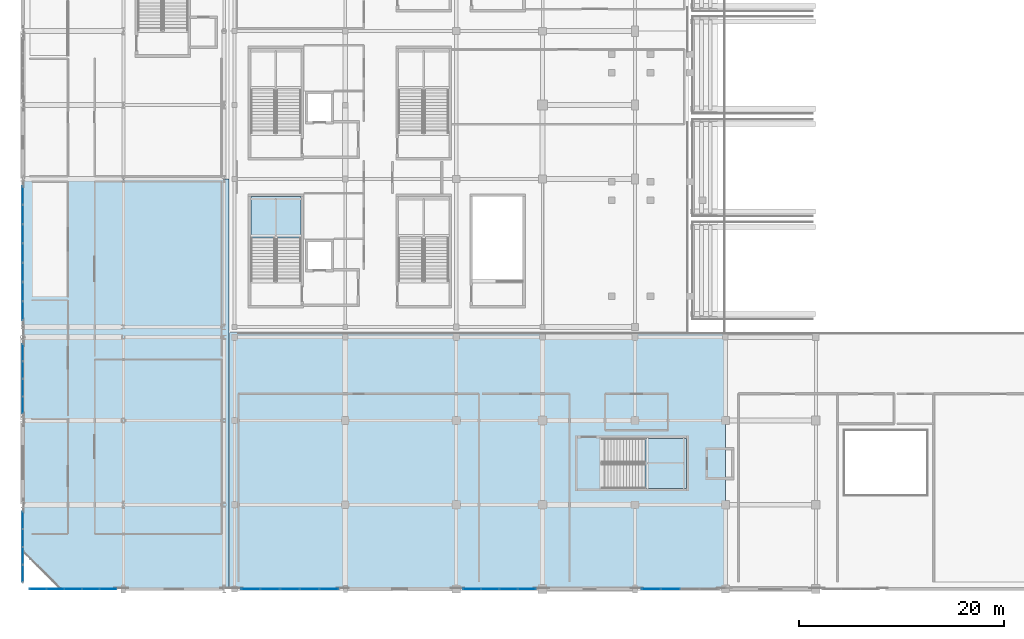
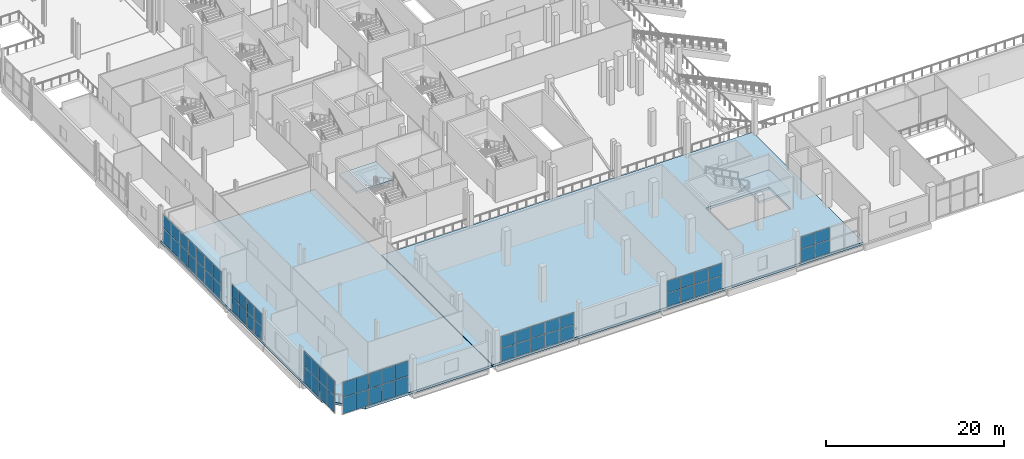
# One storey, part 59 of 129: 62 plates, 4 slabs, 9 elements without a shape of their own.
"""IFC4 building model written with IfcOpenShell, lengths in metres."""

import ifcopenshell
import ifcopenshell.guid

model = None  # the IFC model being written
_history = None  # IfcOwnerHistory: only IFC2X3 demands one
_inside = {}  # id of a spatial element -> (the spatial element, [elements in it])
_under = {}  # id of a project, library or spatial element -> (it, [spatial elements below it])
_declared = {}  # id of a project -> (the project, [libraries it declares])
_typed = {}  # id of a type object -> (the type object, [elements of that type])
_made_of = {}  # id of a material, layer set ... -> (it, [elements and type objects made of it])


def new_model(schema):
    """Start an empty IFC model of exactly this schema.

    Asked for "IFC4X3", IfcOpenShell would pick the latest addendum, in which some entities
    have other attributes; the version numbers below select the first issue.
    IFC2X3 requires an IfcOwnerHistory on every rooted entity: one is made here for all.
    """
    global model, _history
    if schema == "IFC4X3":
        model = ifcopenshell.file(schema_version=(4, 3, 0, 0))
    else:
        model = ifcopenshell.file(schema=schema)
    _inside.clear()
    _under.clear()
    _declared.clear()
    _typed.clear()
    _made_of.clear()
    _history = None
    if model.schema == "IFC2X3":
        org = make("IfcOrganization", Name="unknown")
        user = make(
            "IfcPersonAndOrganization",
            ThePerson=make("IfcPerson", FamilyName="unknown"),
            TheOrganization=org,
        )
        app = make(
            "IfcApplication",
            ApplicationDeveloper=org,
            Version="unknown",
            ApplicationFullName="unknown",
            ApplicationIdentifier="unknown",
        )
        _history = make(
            "IfcOwnerHistory",
            OwningUser=user,
            OwningApplication=app,
            ChangeAction="ADDED",
            CreationDate=0,
        )
    return model


def make(cls, **values):
    """One entity of the class cls with the attributes given. An attribute that is None is left unset."""
    return model.create_entity(
        cls, **{name: value for name, value in values.items() if value is not None}
    )


def rooted(cls, **values):
    """An entity with a GlobalId (a new one), such as an element, a storey or a relation."""
    return make(cls, GlobalId=ifcopenshell.guid.new(), OwnerHistory=_history, **values)


def si_unit(unit_type, name, prefix=None):
    """IfcSIUnit, for example si_unit("LENGTHUNIT", "METRE", prefix="MILLI")."""
    return make("IfcSIUnit", UnitType=unit_type, Prefix=prefix, Name=name)


def assignment(units):
    """IfcUnitAssignment: the units of a project."""
    return None if units is None else make("IfcUnitAssignment", Units=units)


def point(xyz):
    """IfcCartesianPoint."""
    return None if xyz is None else make("IfcCartesianPoint", Coordinates=xyz)


def direction(xyz):
    """IfcDirection."""
    return None if xyz is None else make("IfcDirection", DirectionRatios=xyz)


def frame(location, z_axis=None, x_axis=None):
    """IfcAxis2Placement3D, a coordinate frame: its origin and axes. An axis left out is left unset."""
    return make(
        "IfcAxis2Placement3D",
        Location=point(location),
        Axis=direction(z_axis),
        RefDirection=direction(x_axis),
    )


def frame_2d(location, x_axis=None):
    """IfcAxis2Placement2D, a coordinate frame in the plane: its origin and x axis."""
    return make(
        "IfcAxis2Placement2D", Location=point(location), RefDirection=direction(x_axis)
    )


def origin():
    """The frame at (0, 0, 0) with its axes left unset."""
    return frame((0.0, 0.0, 0.0))


def origin_2d():
    """The frame at (0, 0) in the plane with its x axis left unset."""
    return frame_2d((0.0, 0.0))


def place(relative_to, where):
    """IfcLocalPlacement: puts the frame where relative to a parent placement (None: the world)."""
    return make(
        "IfcLocalPlacement", PlacementRelTo=relative_to, RelativePlacement=where
    )


def context(
    kind, dimensions, precision=None, world=None, true_north=None, identifier=None
):
    """IfcGeometricRepresentationContext, for example the 3D "Model" context."""
    return make(
        "IfcGeometricRepresentationContext",
        ContextIdentifier=identifier,
        ContextType=kind,
        CoordinateSpaceDimension=dimensions,
        Precision=precision,
        WorldCoordinateSystem=world,
        TrueNorth=true_north,
    )


def subcontext(parent, identifier, kind, view, scale=None):
    """IfcGeometricRepresentationSubContext, for example "Body" below "Model"."""
    return make(
        "IfcGeometricRepresentationSubContext",
        ContextIdentifier=identifier,
        ContextType=kind,
        ParentContext=parent,
        TargetScale=scale,
        TargetView=view,
    )


def project(units=None, contexts=None):
    """IfcProject with its units and contexts."""
    return rooted(
        "IfcProject",
        Name="project",
        RepresentationContexts=contexts,
        UnitsInContext=assignment(units),
    )


def spatial(cls, under=None, at=None, **own):
    """A site, building, storey or space (cls), placed at a placement, below another one or the project."""
    s = rooted(cls, ObjectPlacement=at, **own)
    if under is not None:
        _under.setdefault(under.id(), (under, []))[1].append(s)
    return s


def polyline(points):
    """IfcPolyline through the points."""
    return make("IfcPolyline", Points=[point(p) for p in points])


def profile(cls, at=None, kind="AREA", **sizes):
    """A parametric profile (cls). Its sizes go by their IFC names, for example OverallWidth=200.0."""
    return make(cls, ProfileType=kind, Position=at, **sizes)


def rectangle(**sizes):
    """IfcRectangleProfileDef."""
    return profile("IfcRectangleProfileDef", **sizes)


def outline(outer, holes=None, kind="AREA"):
    """IfcArbitraryClosedProfileDef: a profile drawn as a closed curve; with holes, ...WithVoids."""
    if holes is None:
        return make("IfcArbitraryClosedProfileDef", ProfileType=kind, OuterCurve=outer)
    return make(
        "IfcArbitraryProfileDefWithVoids",
        ProfileType=kind,
        OuterCurve=outer,
        InnerCurves=holes,
    )


def extrude(swept, where, along, depth):
    """IfcExtrudedAreaSolid: the profile swept, set in the frame where, extruded along a direction by depth."""
    return make(
        "IfcExtrudedAreaSolid",
        SweptArea=swept,
        Position=where,
        ExtrudedDirection=direction(along),
        Depth=depth,
    )


def shape(context_of_items, identifier, shape_type, items):
    """IfcShapeRepresentation: the items that make up one representation, for example the "Body"."""
    return make(
        "IfcShapeRepresentation",
        ContextOfItems=context_of_items,
        RepresentationIdentifier=identifier,
        RepresentationType=shape_type,
        Items=items,
    )


def material(Name=None, Category=None):
    """IfcMaterial."""
    return make("IfcMaterial", Name=Name, Category=Category)


def layer(
    of_material, thickness, ventilated=None, Name=None, Category=None, Priority=None
):
    """IfcMaterialLayer: one layer of a wall or slab, of a material (None: an air gap)."""
    return make(
        "IfcMaterialLayer",
        Material=of_material,
        LayerThickness=thickness,
        IsVentilated=ventilated,
        Name=Name,
        Category=Category,
        Priority=Priority,
    )


def layer_set(layers, Name=None):
    """IfcMaterialLayerSet."""
    return make("IfcMaterialLayerSet", MaterialLayers=layers, LayerSetName=Name)


def made_of(thing, what):
    """Note that an element or type object is made of a material, layer set ...; save() writes the relation."""
    if what is not None:
        _made_of.setdefault(what.id(), (what, []))[1].append(thing)
    return thing


def type_object(cls, material=None, **own):
    """A type object (cls), such as IfcWallType, which elements share."""
    return made_of(rooted(cls, **own), material)


def element(
    cls,
    number,
    at=None,
    inside=None,
    cuts=None,
    type_object=None,
    material=None,
    context=None,
    identifier="Body",
    shape_type=None,
    held_by="IfcProductDefinitionShape",
    body=None,
    shapes=None,
    **own,
):
    """One element of the class cls, such as IfcWall. Its Tag is "e" and its number.

    at: its placement. inside: the storey or other place that contains it. cuts: it is an
    opening in that element (IfcRelVoidsElement). A single representation is given by context,
    identifier, shape_type and body (its items); several are given by shapes. held_by: the class
    of the entity that holds the representations. save() writes the other relations.
    """
    e = rooted(cls, Tag="e%d" % number, ObjectPlacement=at, **own)
    if body is not None:
        shapes = [shape(context, identifier, shape_type, body)]
    if shapes is not None:
        e.Representation = make(held_by, Representations=shapes)
    if inside is not None:
        _inside.setdefault(inside.id(), (inside, []))[1].append(e)
    if cuts is not None:
        rooted(
            "IfcRelVoidsElement", RelatingBuildingElement=cuts, RelatedOpeningElement=e
        )
    if type_object is not None:
        _typed.setdefault(type_object.id(), (type_object, []))[1].append(e)
    return made_of(e, material)


def aggregate(whole, parts):
    """IfcRelAggregates: a whole, such as a stair, and the parts it consists of."""
    return rooted("IfcRelAggregates", RelatingObject=whole, RelatedObjects=parts)


def save(model, path):
    """Write the relations noted so far, then the file.

    IfcRelAggregates (storeys below a building ...), IfcRelContainedInSpatialStructure (elements
    in a storey), IfcRelDefinesByType, IfcRelAssociatesMaterial and IfcRelDeclares: one each for
    every whole, place, type object, material and project.
    """
    for whole, parts in _under.values():
        aggregate(whole, parts)
    for where, things in _inside.values():
        rooted(
            "IfcRelContainedInSpatialStructure",
            RelatedElements=things,
            RelatingStructure=where,
        )
    for kind, things in _typed.values():
        rooted("IfcRelDefinesByType", RelatedObjects=things, RelatingType=kind)
    for what, things in _made_of.values():
        rooted("IfcRelAssociatesMaterial", RelatedObjects=things, RelatingMaterial=what)
    for by, libraries in _declared.values():
        rooted("IfcRelDeclares", RelatingContext=by, RelatedDefinitions=libraries)
    model.write(path)


model = new_model("IFC4")

# Units and contexts
model_context = context("Model", 3, precision=1e-05, world=origin(), true_north=direction((0.0, 1.0)))
body_context = subcontext(model_context, "Body", "Model", "MODEL_VIEW")
ifc_project = project(units=[si_unit("LENGTHUNIT", "METRE"), si_unit("AREAUNIT", "SQUARE_METRE"), si_unit("VOLUMEUNIT", "CUBIC_METRE"), si_unit("PLANEANGLEUNIT", "RADIAN"), si_unit("MASSUNIT", "GRAM", prefix="KILO")], contexts=[model_context])

# Site, building, storey
site_placement = place(None, origin())
site = spatial("IfcSite", under=ifc_project, at=site_placement, CompositionType="ELEMENT")
building_placement = place(site_placement, origin())
building = spatial("IfcBuilding", under=site, at=building_placement, Name="Koshinbarg Plaza Stadium", CompositionType="ELEMENT")
storey_placement = place(building_placement, frame((0.0, 0.0, 5.39990234375)))
storey = spatial("IfcBuildingStorey", under=building, at=storey_placement, Name="L01", CompositionType="ELEMENT", Elevation=5.39990234375)

# Curtain wall, plates
ifc_material_1 = material(Name="Thermally broken anodised aluminium and low-E double glazing", Category="aluminium")
curtain_wall_type_1 = type_object("IfcCurtainWallType", Name="CW-SYS-03", PredefinedType="NOTDEFINED", material=ifc_material_1)
curtain_wall_1_placement = place(storey_placement, origin())
curtain_wall_1 = element("IfcCurtainWall", 1, at=curtain_wall_1_placement, inside=storey, type_object=curtain_wall_type_1, Name="L01 unitised curtain wall CW-L01-002", PredefinedType="NOTDEFINED")
ifc_material_2 = material(Name="Solar-control low-E double glazing unit", Category="glass")
ifc_layer_1 = layer(ifc_material_2, 0.028076171875)
ifc_layer_set_1 = layer_set([ifc_layer_1], Name="Solar-control low-E double glazing unit")
plate_type_1 = type_object("IfcPlateType", Name="CW-PNL-28", PredefinedType="CURTAIN_PANEL", material=ifc_layer_set_1)
plate_1_placement = place(storey_placement, frame((4.0, 17.892578125, 0.06005859375), z_axis=(0.0, 0.0, 1.0), x_axis=(0.0, 1.0, 0.0)))
plate_1 = element("IfcPlate", 2, at=plate_1_placement, type_object=plate_type_1, Name="CW03 panel 1.1", PredefinedType="CURTAIN_PANEL", context=body_context, shape_type="SweptSolid", body=[
    extrude(rectangle(XDim=1.625, YDim=0.028076171875, at=origin_2d()), origin(), (0.0, 0.0, 1.0), 1.87548828125),
])
plate_2_placement = place(storey_placement, frame((4.0, 17.892578125, 1.99560546875), z_axis=(0.0, 0.0, 1.0), x_axis=(0.0, 1.0, 0.0)))
plate_2 = element("IfcPlate", 3, at=plate_2_placement, type_object=plate_type_1, Name="CW03 panel 1.2", PredefinedType="CURTAIN_PANEL", context=body_context, shape_type="SweptSolid", body=[
    extrude(rectangle(XDim=1.625, YDim=0.028076171875, at=origin_2d()), origin(), (0.0, 0.0, 1.0), 1.724365234375),
])
plate_3_placement = place(storey_placement, frame((4.0, 19.592529296875, 0.06005859375), z_axis=(0.0, 0.0, 1.0), x_axis=(0.0, 1.0, 0.0)))
plate_3 = element("IfcPlate", 4, at=plate_3_placement, type_object=plate_type_1, Name="CW03 panel 2.1", PredefinedType="CURTAIN_PANEL", context=body_context, shape_type="SweptSolid", body=[
    extrude(rectangle(XDim=1.655029296875, YDim=0.028076171875, at=origin_2d()), origin(), (0.0, 0.0, 1.0), 1.87548828125),
])
plate_4_placement = place(storey_placement, frame((4.0, 19.592529296875, 1.99560546875), z_axis=(0.0, 0.0, 1.0), x_axis=(0.0, 1.0, 0.0)))
plate_4 = element("IfcPlate", 5, at=plate_4_placement, type_object=plate_type_1, Name="CW03 panel 2.2", PredefinedType="CURTAIN_PANEL", context=body_context, shape_type="SweptSolid", body=[
    extrude(rectangle(XDim=1.655029296875, YDim=0.028076171875, at=origin_2d()), origin(), (0.0, 0.0, 1.0), 1.724365234375),
])
plate_5_placement = place(storey_placement, frame((4.0, 21.3076171875, 0.06005859375), z_axis=(0.0, 0.0, 1.0), x_axis=(0.0, 1.0, 0.0)))
plate_5 = element("IfcPlate", 6, at=plate_5_placement, type_object=plate_type_1, Name="CW03 panel 3.1", PredefinedType="CURTAIN_PANEL", context=body_context, shape_type="SweptSolid", body=[
    extrude(rectangle(XDim=1.655029296875, YDim=0.028076171875, at=origin_2d()), origin(), (0.0, 0.0, 1.0), 1.87548828125),
])
plate_6_placement = place(storey_placement, frame((4.0, 21.3076171875, 1.99560546875), z_axis=(0.0, 0.0, 1.0), x_axis=(0.0, 1.0, 0.0)))
plate_6 = element("IfcPlate", 7, at=plate_6_placement, type_object=plate_type_1, Name="CW03 panel 3.2", PredefinedType="CURTAIN_PANEL", context=body_context, shape_type="SweptSolid", body=[
    extrude(rectangle(XDim=1.655029296875, YDim=0.028076171875, at=origin_2d()), origin(), (0.0, 0.0, 1.0), 1.724365234375),
])
plate_7_placement = place(storey_placement, frame((4.0, 23.007568359375, 0.06005859375), z_axis=(0.0, 0.0, 1.0), x_axis=(0.0, 1.0, 0.0)))
plate_7 = element("IfcPlate", 8, at=plate_7_placement, type_object=plate_type_1, Name="CW03 panel 4.1", PredefinedType="CURTAIN_PANEL", context=body_context, shape_type="SweptSolid", body=[
    extrude(rectangle(XDim=1.625, YDim=0.028076171875, at=origin_2d()), origin(), (0.0, 0.0, 1.0), 1.87548828125),
])
plate_8_placement = place(storey_placement, frame((4.0, 23.007568359375, 1.99560546875), z_axis=(0.0, 0.0, 1.0), x_axis=(0.0, 1.0, 0.0)))
plate_8 = element("IfcPlate", 9, at=plate_8_placement, type_object=plate_type_1, Name="CW03 panel 4.2", PredefinedType="CURTAIN_PANEL", context=body_context, shape_type="SweptSolid", body=[
    extrude(rectangle(XDim=1.625, YDim=0.028076171875, at=origin_2d()), origin(), (0.0, 0.0, 1.0), 1.724365234375),
])
aggregate(curtain_wall_1, [plate_1, plate_2, plate_3, plate_4, plate_5, plate_6, plate_7, plate_8])

curtain_wall_2_placement = place(storey_placement, origin())
curtain_wall_2 = element("IfcCurtainWall", 10, at=curtain_wall_2_placement, inside=storey, type_object=curtain_wall_type_1, Name="L01 unitised curtain wall CW-L01-034", PredefinedType="NOTDEFINED")
plate_9_placement = place(storey_placement, frame((53.070068359375, 0.0, 0.06005859375), z_axis=(0.0, 0.0, 1.0), x_axis=(-1.0, 0.0, 0.0)))
plate_9 = element("IfcPlate", 11, at=plate_9_placement, type_object=plate_type_1, Name="CW03 panel 1.1", PredefinedType="CURTAIN_PANEL", context=body_context, shape_type="SweptSolid", body=[
    extrude(rectangle(XDim=1.699951171875, YDim=0.028076171875, at=origin_2d()), origin(), (0.0, 0.0, 1.0), 1.797607421875),
])
plate_10_placement = place(storey_placement, frame((53.070068359375, 0.0, 1.917724609375), z_axis=(0.0, 0.0, 1.0), x_axis=(-1.0, 0.0, 0.0)))
plate_10 = element("IfcPlate", 12, at=plate_10_placement, type_object=plate_type_1, Name="CW03 panel 1.2", PredefinedType="CURTAIN_PANEL", context=body_context, shape_type="SweptSolid", body=[
    extrude(rectangle(XDim=1.699951171875, YDim=0.028076171875, at=origin_2d()), origin(), (0.0, 0.0, 1.0), 1.65234375),
])
plate_11_placement = place(storey_placement, frame((51.294921875, 0.0, 0.06005859375), z_axis=(0.0, 0.0, 1.0), x_axis=(-1.0, 0.0, 0.0)))
plate_11 = element("IfcPlate", 13, at=plate_11_placement, type_object=plate_type_1, Name="CW03 panel 2.1", PredefinedType="CURTAIN_PANEL", context=body_context, shape_type="SweptSolid", body=[
    extrude(rectangle(XDim=1.72998046875, YDim=0.028076171875, at=origin_2d()), origin(), (0.0, 0.0, 1.0), 1.797607421875),
])
plate_12_placement = place(storey_placement, frame((51.294921875, 0.0, 1.917724609375), z_axis=(0.0, 0.0, 1.0), x_axis=(-1.0, 0.0, 0.0)))
plate_12 = element("IfcPlate", 14, at=plate_12_placement, type_object=plate_type_1, Name="CW03 panel 2.2", PredefinedType="CURTAIN_PANEL", context=body_context, shape_type="SweptSolid", body=[
    extrude(rectangle(XDim=1.72998046875, YDim=0.028076171875, at=origin_2d()), origin(), (0.0, 0.0, 1.0), 1.65234375),
])
plate_13_placement = place(storey_placement, frame((49.5048828125, 0.0, 0.06005859375), z_axis=(0.0, 0.0, 1.0), x_axis=(-1.0, 0.0, 0.0)))
plate_13 = element("IfcPlate", 15, at=plate_13_placement, type_object=plate_type_1, Name="CW03 panel 3.1", PredefinedType="CURTAIN_PANEL", context=body_context, shape_type="SweptSolid", body=[
    extrude(rectangle(XDim=1.72998046875, YDim=0.028076171875, at=origin_2d()), origin(), (0.0, 0.0, 1.0), 1.797607421875),
])
plate_14_placement = place(storey_placement, frame((49.5048828125, 0.0, 1.917724609375), z_axis=(0.0, 0.0, 1.0), x_axis=(-1.0, 0.0, 0.0)))
plate_14 = element("IfcPlate", 16, at=plate_14_placement, type_object=plate_type_1, Name="CW03 panel 3.2", PredefinedType="CURTAIN_PANEL", context=body_context, shape_type="SweptSolid", body=[
    extrude(rectangle(XDim=1.72998046875, YDim=0.028076171875, at=origin_2d()), origin(), (0.0, 0.0, 1.0), 1.65234375),
])
plate_15_placement = place(storey_placement, frame((47.72998046875, 0.0, 0.06005859375), z_axis=(0.0, 0.0, 1.0), x_axis=(-1.0, 0.0, 0.0)))
plate_15 = element("IfcPlate", 17, at=plate_15_placement, type_object=plate_type_1, Name="CW03 panel 4.1", PredefinedType="CURTAIN_PANEL", context=body_context, shape_type="SweptSolid", body=[
    extrude(rectangle(XDim=1.699951171875, YDim=0.028076171875, at=origin_2d()), origin(), (0.0, 0.0, 1.0), 1.797607421875),
])
plate_16_placement = place(storey_placement, frame((47.72998046875, 0.0, 1.917724609375), z_axis=(0.0, 0.0, 1.0), x_axis=(-1.0, 0.0, 0.0)))
plate_16 = element("IfcPlate", 18, at=plate_16_placement, type_object=plate_type_1, Name="CW03 panel 4.2", PredefinedType="CURTAIN_PANEL", context=body_context, shape_type="SweptSolid", body=[
    extrude(rectangle(XDim=1.699951171875, YDim=0.028076171875, at=origin_2d()), origin(), (0.0, 0.0, 1.0), 1.65234375),
])
aggregate(curtain_wall_2, [plate_9, plate_10, plate_11, plate_12, plate_13, plate_14, plate_15, plate_16])

curtain_wall_type_2 = type_object("IfcCurtainWallType", Name="CW-SYS-05", PredefinedType="NOTDEFINED", material=ifc_material_1)
curtain_wall_3_placement = place(storey_placement, origin())
curtain_wall_3 = element("IfcCurtainWall", 19, at=curtain_wall_3_placement, inside=storey, type_object=curtain_wall_type_2, Name="L01 unitised curtain wall CW-L01-036", PredefinedType="NOTDEFINED")
plate_17_placement = place(storey_placement, frame((12.30908203125, 0.0, 0.06005859375), z_axis=(0.0, 0.0, 1.0), x_axis=(-1.0, 0.0, 0.0)))
plate_17 = element("IfcPlate", 20, at=plate_17_placement, type_object=plate_type_1, Name="CW05 panel 1.1", PredefinedType="CURTAIN_PANEL", context=body_context, shape_type="SweptSolid", body=[
    extrude(rectangle(XDim=1.6220703125, YDim=0.028076171875, at=origin_2d()), origin(), (0.0, 0.0, 1.0), 2.239501953125),
])
plate_18_placement = place(storey_placement, frame((12.30908203125, 0.0, 2.35986328125), z_axis=(0.0, 0.0, 1.0), x_axis=(-1.0, 0.0, 0.0)))
plate_18 = element("IfcPlate", 21, at=plate_18_placement, type_object=plate_type_1, Name="CW05 panel 1.2", PredefinedType="CURTAIN_PANEL", context=body_context, shape_type="SweptSolid", body=[
    extrude(rectangle(XDim=1.6220703125, YDim=0.028076171875, at=origin_2d()), origin(), (0.0, 0.0, 1.0), 2.060302734375),
])
plate_19_placement = place(storey_placement, frame((10.612060546875, 0.0, 0.06005859375), z_axis=(0.0, 0.0, 1.0), x_axis=(-1.0, 0.0, 0.0)))
plate_19 = element("IfcPlate", 22, at=plate_19_placement, type_object=plate_type_1, Name="CW05 panel 2.1", PredefinedType="CURTAIN_PANEL", context=body_context, shape_type="SweptSolid", body=[
    extrude(rectangle(XDim=1.652099609375, YDim=0.028076171875, at=origin_2d()), origin(), (0.0, 0.0, 1.0), 2.239501953125),
])
plate_20_placement = place(storey_placement, frame((10.612060546875, 0.0, 2.35986328125), z_axis=(0.0, 0.0, 1.0), x_axis=(-1.0, 0.0, 0.0)))
plate_20 = element("IfcPlate", 23, at=plate_20_placement, type_object=plate_type_1, Name="CW05 panel 2.2", PredefinedType="CURTAIN_PANEL", context=body_context, shape_type="SweptSolid", body=[
    extrude(rectangle(XDim=1.652099609375, YDim=0.028076171875, at=origin_2d()), origin(), (0.0, 0.0, 1.0), 2.060302734375),
])
plate_21_placement = place(storey_placement, frame((8.89990234375, 0.0, 0.06005859375), z_axis=(0.0, 0.0, 1.0), x_axis=(-1.0, 0.0, 0.0)))
plate_21 = element("IfcPlate", 24, at=plate_21_placement, type_object=plate_type_1, Name="CW05 panel 3.1", PredefinedType="CURTAIN_PANEL", context=body_context, shape_type="SweptSolid", body=[
    extrude(rectangle(XDim=1.652099609375, YDim=0.028076171875, at=origin_2d()), origin(), (0.0, 0.0, 1.0), 2.239501953125),
])
plate_22_placement = place(storey_placement, frame((8.89990234375, 0.0, 2.35986328125), z_axis=(0.0, 0.0, 1.0), x_axis=(-1.0, 0.0, 0.0)))
plate_22 = element("IfcPlate", 25, at=plate_22_placement, type_object=plate_type_1, Name="CW05 panel 3.2", PredefinedType="CURTAIN_PANEL", context=body_context, shape_type="SweptSolid", body=[
    extrude(rectangle(XDim=1.652099609375, YDim=0.028076171875, at=origin_2d()), origin(), (0.0, 0.0, 1.0), 2.060302734375),
])
plate_23_placement = place(storey_placement, frame((7.18798828125, 0.0, 0.06005859375), z_axis=(0.0, 0.0, 1.0), x_axis=(-1.0, 0.0, 0.0)))
plate_23 = element("IfcPlate", 26, at=plate_23_placement, type_object=plate_type_1, Name="CW05 panel 4.1", PredefinedType="CURTAIN_PANEL", context=body_context, shape_type="SweptSolid", body=[
    extrude(rectangle(XDim=1.652099609375, YDim=0.028076171875, at=origin_2d()), origin(), (0.0, 0.0, 1.0), 2.239501953125),
])
plate_24_placement = place(storey_placement, frame((7.18798828125, 0.0, 2.35986328125), z_axis=(0.0, 0.0, 1.0), x_axis=(-1.0, 0.0, 0.0)))
plate_24 = element("IfcPlate", 27, at=plate_24_placement, type_object=plate_type_1, Name="CW05 panel 4.2", PredefinedType="CURTAIN_PANEL", context=body_context, shape_type="SweptSolid", body=[
    extrude(rectangle(XDim=1.652099609375, YDim=0.028076171875, at=origin_2d()), origin(), (0.0, 0.0, 1.0), 2.060302734375),
])
plate_25_placement = place(storey_placement, frame((5.490966796875, 0.0, 0.06005859375), z_axis=(0.0, 0.0, 1.0), x_axis=(-1.0, 0.0, 0.0)))
plate_25 = element("IfcPlate", 28, at=plate_25_placement, type_object=plate_type_1, Name="CW05 panel 5.1", PredefinedType="CURTAIN_PANEL", context=body_context, shape_type="SweptSolid", body=[
    extrude(rectangle(XDim=1.6220703125, YDim=0.028076171875, at=origin_2d()), origin(), (0.0, 0.0, 1.0), 2.239501953125),
])
plate_26_placement = place(storey_placement, frame((5.490966796875, 0.0, 2.35986328125), z_axis=(0.0, 0.0, 1.0), x_axis=(-1.0, 0.0, 0.0)))
plate_26 = element("IfcPlate", 29, at=plate_26_placement, type_object=plate_type_1, Name="CW05 panel 5.2", PredefinedType="CURTAIN_PANEL", context=body_context, shape_type="SweptSolid", body=[
    extrude(rectangle(XDim=1.6220703125, YDim=0.028076171875, at=origin_2d()), origin(), (0.0, 0.0, 1.0), 2.060302734375),
])
aggregate(curtain_wall_3, [plate_17, plate_18, plate_19, plate_20, plate_21, plate_22, plate_23, plate_24, plate_25, plate_26])

curtain_wall_type_3 = type_object("IfcCurtainWallType", Name="CW-SYS-02", PredefinedType="NOTDEFINED", material=ifc_material_1)
curtain_wall_4_placement = place(storey_placement, origin())
curtain_wall_4 = element("IfcCurtainWall", 30, at=curtain_wall_4_placement, inside=storey, type_object=curtain_wall_type_3, Name="L01 unitised curtain wall CW-L01-001", PredefinedType="NOTDEFINED")
ifc_material_3 = material(Name="Acoustic solar-control double glazing unit", Category="glass")
ifc_layer_2 = layer(ifc_material_3, 0.031982421875)
ifc_layer_set_2 = layer_set([ifc_layer_2], Name="Acoustic solar-control double glazing unit")
plate_type_2 = type_object("IfcPlateType", Name="CW-PNL-32", PredefinedType="CURTAIN_PANEL", material=ifc_layer_set_2)
plate_27_placement = place(storey_placement, frame((4.0, 1.5048828125, 0.06005859375), z_axis=(0.0, 0.0, 1.0), x_axis=(0.0, 1.0, 0.0)))
plate_27 = element("IfcPlate", 31, at=plate_27_placement, type_object=plate_type_2, Name="CW02 panel 1.1", PredefinedType="CURTAIN_PANEL", context=body_context, shape_type="SweptSolid", body=[
    extrude(rectangle(XDim=1.64990234375, YDim=0.031982421875, at=origin_2d()), origin(), (0.0, 0.0, 1.0), 2.239501953125),
])
plate_28_placement = place(storey_placement, frame((4.0, 1.5048828125, 2.35986328125), z_axis=(0.0, 0.0, 1.0), x_axis=(0.0, 1.0, 0.0)))
plate_28 = element("IfcPlate", 32, at=plate_28_placement, type_object=plate_type_2, Name="CW02 panel 1.2", PredefinedType="CURTAIN_PANEL", context=body_context, shape_type="SweptSolid", body=[
    extrude(rectangle(XDim=1.64990234375, YDim=0.031982421875, at=origin_2d()), origin(), (0.0, 0.0, 1.0), 2.060302734375),
])
plate_29_placement = place(storey_placement, frame((4.0, 3.22998046875, 0.06005859375), z_axis=(0.0, 0.0, 1.0), x_axis=(0.0, 1.0, 0.0)))
plate_29 = element("IfcPlate", 33, at=plate_29_placement, type_object=plate_type_2, Name="CW02 panel 2.1", PredefinedType="CURTAIN_PANEL", context=body_context, shape_type="SweptSolid", body=[
    extrude(rectangle(XDim=1.679931640625, YDim=0.031982421875, at=origin_2d()), origin(), (0.0, 0.0, 1.0), 2.239501953125),
])
plate_30_placement = place(storey_placement, frame((4.0, 3.22998046875, 2.35986328125), z_axis=(0.0, 0.0, 1.0), x_axis=(0.0, 1.0, 0.0)))
plate_30 = element("IfcPlate", 34, at=plate_30_placement, type_object=plate_type_2, Name="CW02 panel 2.2", PredefinedType="CURTAIN_PANEL", context=body_context, shape_type="SweptSolid", body=[
    extrude(rectangle(XDim=1.679931640625, YDim=0.031982421875, at=origin_2d()), origin(), (0.0, 0.0, 1.0), 2.060302734375),
])
plate_31_placement = place(storey_placement, frame((4.0, 4.969970703125, 0.06005859375), z_axis=(0.0, 0.0, 1.0), x_axis=(0.0, 1.0, 0.0)))
plate_31 = element("IfcPlate", 35, at=plate_31_placement, type_object=plate_type_2, Name="CW02 panel 3.1", PredefinedType="CURTAIN_PANEL", context=body_context, shape_type="SweptSolid", body=[
    extrude(rectangle(XDim=1.679931640625, YDim=0.031982421875, at=origin_2d()), origin(), (0.0, 0.0, 1.0), 2.239501953125),
])
plate_32_placement = place(storey_placement, frame((4.0, 4.969970703125, 2.35986328125), z_axis=(0.0, 0.0, 1.0), x_axis=(0.0, 1.0, 0.0)))
plate_32 = element("IfcPlate", 36, at=plate_32_placement, type_object=plate_type_2, Name="CW02 panel 3.2", PredefinedType="CURTAIN_PANEL", context=body_context, shape_type="SweptSolid", body=[
    extrude(rectangle(XDim=1.679931640625, YDim=0.031982421875, at=origin_2d()), origin(), (0.0, 0.0, 1.0), 2.060302734375),
])
plate_33_placement = place(storey_placement, frame((4.0, 6.695068359375, 0.06005859375), z_axis=(0.0, 0.0, 1.0), x_axis=(0.0, 1.0, 0.0)))
plate_33 = element("IfcPlate", 37, at=plate_33_placement, type_object=plate_type_2, Name="CW02 panel 4.1", PredefinedType="CURTAIN_PANEL", context=body_context, shape_type="SweptSolid", body=[
    extrude(rectangle(XDim=1.64990234375, YDim=0.031982421875, at=origin_2d()), origin(), (0.0, 0.0, 1.0), 2.239501953125),
])
plate_34_placement = place(storey_placement, frame((4.0, 6.695068359375, 2.35986328125), z_axis=(0.0, 0.0, 1.0), x_axis=(0.0, 1.0, 0.0)))
plate_34 = element("IfcPlate", 38, at=plate_34_placement, type_object=plate_type_2, Name="CW02 panel 4.2", PredefinedType="CURTAIN_PANEL", context=body_context, shape_type="SweptSolid", body=[
    extrude(rectangle(XDim=1.64990234375, YDim=0.031982421875, at=origin_2d()), origin(), (0.0, 0.0, 1.0), 2.060302734375),
])
aggregate(curtain_wall_4, [plate_27, plate_28, plate_29, plate_30, plate_31, plate_32, plate_33, plate_34])

curtain_wall_type_4 = type_object("IfcCurtainWallType", Name="CW-SYS-04", PredefinedType="NOTDEFINED", material=ifc_material_1)
curtain_wall_5_placement = place(storey_placement, origin())
curtain_wall_5 = element("IfcCurtainWall", 39, at=curtain_wall_5_placement, inside=storey, type_object=curtain_wall_type_4, Name="L01 unitised curtain wall CW-L01-003", PredefinedType="NOTDEFINED")
plate_35_placement = place(storey_placement, frame((4.0, 27.074951171875, 0.06005859375), z_axis=(0.0, 0.0, 1.0), x_axis=(0.0, 1.0, 0.0)))
plate_35 = element("IfcPlate", 40, at=plate_35_placement, type_object=plate_type_2, Name="CW04 panel 1.1", PredefinedType="CURTAIN_PANEL", context=body_context, shape_type="SweptSolid", body=[
    extrude(rectangle(XDim=1.7900390625, YDim=0.031982421875, at=origin_2d()), origin(), (0.0, 0.0, 1.0), 2.005615234375),
])
plate_36_placement = place(storey_placement, frame((4.0, 27.074951171875, 2.12548828125), z_axis=(0.0, 0.0, 1.0), x_axis=(0.0, 1.0, 0.0)))
plate_36 = element("IfcPlate", 41, at=plate_36_placement, type_object=plate_type_2, Name="CW04 panel 1.2", PredefinedType="CURTAIN_PANEL", context=body_context, shape_type="SweptSolid", body=[
    extrude(rectangle(XDim=1.7900390625, YDim=0.031982421875, at=origin_2d()), origin(), (0.0, 0.0, 1.0), 1.844482421875),
])
plate_37_placement = place(storey_placement, frame((4.0, 28.93994140625, 0.06005859375), z_axis=(0.0, 0.0, 1.0), x_axis=(0.0, 1.0, 0.0)))
plate_37 = element("IfcPlate", 42, at=plate_37_placement, type_object=plate_type_2, Name="CW04 panel 2.1", PredefinedType="CURTAIN_PANEL", context=body_context, shape_type="SweptSolid", body=[
    extrude(rectangle(XDim=1.820068359375, YDim=0.031982421875, at=origin_2d()), origin(), (0.0, 0.0, 1.0), 2.005615234375),
])
plate_38_placement = place(storey_placement, frame((4.0, 28.93994140625, 2.12548828125), z_axis=(0.0, 0.0, 1.0), x_axis=(0.0, 1.0, 0.0)))
plate_38 = element("IfcPlate", 43, at=plate_38_placement, type_object=plate_type_2, Name="CW04 panel 2.2", PredefinedType="CURTAIN_PANEL", context=body_context, shape_type="SweptSolid", body=[
    extrude(rectangle(XDim=1.820068359375, YDim=0.031982421875, at=origin_2d()), origin(), (0.0, 0.0, 1.0), 1.844482421875),
])
plate_39_placement = place(storey_placement, frame((4.0, 30.820068359375, 0.06005859375), z_axis=(0.0, 0.0, 1.0), x_axis=(0.0, 1.0, 0.0)))
plate_39 = element("IfcPlate", 44, at=plate_39_placement, type_object=plate_type_2, Name="CW04 panel 3.1", PredefinedType="CURTAIN_PANEL", context=body_context, shape_type="SweptSolid", body=[
    extrude(rectangle(XDim=1.820068359375, YDim=0.031982421875, at=origin_2d()), origin(), (0.0, 0.0, 1.0), 2.005615234375),
])
plate_40_placement = place(storey_placement, frame((4.0, 30.820068359375, 2.12548828125), z_axis=(0.0, 0.0, 1.0), x_axis=(0.0, 1.0, 0.0)))
plate_40 = element("IfcPlate", 45, at=plate_40_placement, type_object=plate_type_2, Name="CW04 panel 3.2", PredefinedType="CURTAIN_PANEL", context=body_context, shape_type="SweptSolid", body=[
    extrude(rectangle(XDim=1.820068359375, YDim=0.031982421875, at=origin_2d()), origin(), (0.0, 0.0, 1.0), 1.844482421875),
])
plate_41_placement = place(storey_placement, frame((4.0, 32.699951171875, 0.06005859375), z_axis=(0.0, 0.0, 1.0), x_axis=(0.0, 1.0, 0.0)))
plate_41 = element("IfcPlate", 46, at=plate_41_placement, type_object=plate_type_2, Name="CW04 panel 4.1", PredefinedType="CURTAIN_PANEL", context=body_context, shape_type="SweptSolid", body=[
    extrude(rectangle(XDim=1.820068359375, YDim=0.031982421875, at=origin_2d()), origin(), (0.0, 0.0, 1.0), 2.005615234375),
])
plate_42_placement = place(storey_placement, frame((4.0, 32.699951171875, 2.12548828125), z_axis=(0.0, 0.0, 1.0), x_axis=(0.0, 1.0, 0.0)))
plate_42 = element("IfcPlate", 47, at=plate_42_placement, type_object=plate_type_2, Name="CW04 panel 4.2", PredefinedType="CURTAIN_PANEL", context=body_context, shape_type="SweptSolid", body=[
    extrude(rectangle(XDim=1.820068359375, YDim=0.031982421875, at=origin_2d()), origin(), (0.0, 0.0, 1.0), 1.844482421875),
])
plate_43_placement = place(storey_placement, frame((4.0, 34.580078125, 0.06005859375), z_axis=(0.0, 0.0, 1.0), x_axis=(0.0, 1.0, 0.0)))
plate_43 = element("IfcPlate", 48, at=plate_43_placement, type_object=plate_type_2, Name="CW04 panel 5.1", PredefinedType="CURTAIN_PANEL", context=body_context, shape_type="SweptSolid", body=[
    extrude(rectangle(XDim=1.820068359375, YDim=0.031982421875, at=origin_2d()), origin(), (0.0, 0.0, 1.0), 2.005615234375),
])
plate_44_placement = place(storey_placement, frame((4.0, 34.580078125, 2.12548828125), z_axis=(0.0, 0.0, 1.0), x_axis=(0.0, 1.0, 0.0)))
plate_44 = element("IfcPlate", 49, at=plate_44_placement, type_object=plate_type_2, Name="CW04 panel 5.2", PredefinedType="CURTAIN_PANEL", context=body_context, shape_type="SweptSolid", body=[
    extrude(rectangle(XDim=1.820068359375, YDim=0.031982421875, at=origin_2d()), origin(), (0.0, 0.0, 1.0), 1.844482421875),
])
plate_45_placement = place(storey_placement, frame((4.0, 36.4599609375, 0.06005859375), z_axis=(0.0, 0.0, 1.0), x_axis=(0.0, 1.0, 0.0)))
plate_45 = element("IfcPlate", 50, at=plate_45_placement, type_object=plate_type_2, Name="CW04 panel 6.1", PredefinedType="CURTAIN_PANEL", context=body_context, shape_type="SweptSolid", body=[
    extrude(rectangle(XDim=1.820068359375, YDim=0.031982421875, at=origin_2d()), origin(), (0.0, 0.0, 1.0), 2.005615234375),
])
plate_46_placement = place(storey_placement, frame((4.0, 36.4599609375, 2.12548828125), z_axis=(0.0, 0.0, 1.0), x_axis=(0.0, 1.0, 0.0)))
plate_46 = element("IfcPlate", 51, at=plate_46_placement, type_object=plate_type_2, Name="CW04 panel 6.2", PredefinedType="CURTAIN_PANEL", context=body_context, shape_type="SweptSolid", body=[
    extrude(rectangle(XDim=1.820068359375, YDim=0.031982421875, at=origin_2d()), origin(), (0.0, 0.0, 1.0), 1.844482421875),
])
plate_47_placement = place(storey_placement, frame((4.0, 38.324951171875, 0.06005859375), z_axis=(0.0, 0.0, 1.0), x_axis=(0.0, 1.0, 0.0)))
plate_47 = element("IfcPlate", 52, at=plate_47_placement, type_object=plate_type_2, Name="CW04 panel 7.1", PredefinedType="CURTAIN_PANEL", context=body_context, shape_type="SweptSolid", body=[
    extrude(rectangle(XDim=1.7900390625, YDim=0.031982421875, at=origin_2d()), origin(), (0.0, 0.0, 1.0), 2.005615234375),
])
plate_48_placement = place(storey_placement, frame((4.0, 38.324951171875, 2.12548828125), z_axis=(0.0, 0.0, 1.0), x_axis=(0.0, 1.0, 0.0)))
plate_48 = element("IfcPlate", 53, at=plate_48_placement, type_object=plate_type_2, Name="CW04 panel 7.2", PredefinedType="CURTAIN_PANEL", context=body_context, shape_type="SweptSolid", body=[
    extrude(rectangle(XDim=1.7900390625, YDim=0.031982421875, at=origin_2d()), origin(), (0.0, 0.0, 1.0), 1.844482421875),
])
aggregate(curtain_wall_5, [plate_35, plate_36, plate_37, plate_38, plate_39, plate_40, plate_41, plate_42, plate_43, plate_44, plate_45, plate_46, plate_47, plate_48])

curtain_wall_6_placement = place(storey_placement, origin())
curtain_wall_6 = element("IfcCurtainWall", 54, at=curtain_wall_6_placement, inside=storey, type_object=curtain_wall_type_3, Name="L01 unitised curtain wall CW-L01-033", PredefinedType="NOTDEFINED")
plate_49_placement = place(storey_placement, frame((67.054931640625, 0.0, 0.06005859375), z_axis=(0.0, 0.0, 1.0), x_axis=(-1.0, 0.0, 0.0)))
plate_49 = element("IfcPlate", 55, at=plate_49_placement, type_object=plate_type_2, Name="CW02 panel 3.1", PredefinedType="CURTAIN_PANEL", context=body_context, shape_type="SweptSolid", body=[
    extrude(rectangle(XDim=1.830078125, YDim=0.031982421875, at=origin_2d()), origin(), (0.0, 0.0, 1.0), 1.797607421875),
])
plate_50_placement = place(storey_placement, frame((67.054931640625, 0.0, 1.917724609375), z_axis=(0.0, 0.0, 1.0), x_axis=(-1.0, 0.0, 0.0)))
plate_50 = element("IfcPlate", 56, at=plate_50_placement, type_object=plate_type_2, Name="CW02 panel 3.2", PredefinedType="CURTAIN_PANEL", context=body_context, shape_type="SweptSolid", body=[
    extrude(rectangle(XDim=1.830078125, YDim=0.031982421875, at=origin_2d()), origin(), (0.0, 0.0, 1.0), 1.65234375),
])
plate_51_placement = place(storey_placement, frame((65.179931640625, 0.0, 0.06005859375), z_axis=(0.0, 0.0, 1.0), x_axis=(-1.0, 0.0, 0.0)))
plate_51 = element("IfcPlate", 57, at=plate_51_placement, type_object=plate_type_2, Name="CW02 panel 4.1", PredefinedType="CURTAIN_PANEL", context=body_context, shape_type="SweptSolid", body=[
    extrude(rectangle(XDim=1.800048828125, YDim=0.031982421875, at=origin_2d()), origin(), (0.0, 0.0, 1.0), 1.797607421875),
])
plate_52_placement = place(storey_placement, frame((65.179931640625, 0.0, 1.917724609375), z_axis=(0.0, 0.0, 1.0), x_axis=(-1.0, 0.0, 0.0)))
plate_52 = element("IfcPlate", 58, at=plate_52_placement, type_object=plate_type_2, Name="CW02 panel 4.2", PredefinedType="CURTAIN_PANEL", context=body_context, shape_type="SweptSolid", body=[
    extrude(rectangle(XDim=1.800048828125, YDim=0.031982421875, at=origin_2d()), origin(), (0.0, 0.0, 1.0), 1.65234375),
])
aggregate(curtain_wall_6, [plate_49, plate_50, plate_51, plate_52])

curtain_wall_7_placement = place(storey_placement, origin())
curtain_wall_7 = element("IfcCurtainWall", 59, at=curtain_wall_7_placement, inside=storey, type_object=curtain_wall_type_4, Name="L01 unitised curtain wall CW-L01-035", PredefinedType="NOTDEFINED")
plate_53_placement = place(storey_placement, frame((33.80908203125, 0.0, 0.06005859375), z_axis=(0.0, 0.0, 1.0), x_axis=(-1.0, 0.0, 0.0)))
plate_53 = element("IfcPlate", 60, at=plate_53_placement, type_object=plate_type_2, Name="CW04 panel 1.1", PredefinedType="CURTAIN_PANEL", context=body_context, shape_type="SweptSolid", body=[
    extrude(rectangle(XDim=1.822021484375, YDim=0.031982421875, at=origin_2d()), origin(), (0.0, 0.0, 1.0), 1.771484375),
])
plate_54_placement = place(storey_placement, frame((33.80908203125, 0.0, 1.8916015625), z_axis=(0.0, 0.0, 1.0), x_axis=(-1.0, 0.0, 0.0)))
plate_54 = element("IfcPlate", 61, at=plate_54_placement, type_object=plate_type_2, Name="CW04 panel 1.2", PredefinedType="CURTAIN_PANEL", context=body_context, shape_type="SweptSolid", body=[
    extrude(rectangle(XDim=1.822021484375, YDim=0.031982421875, at=origin_2d()), origin(), (0.0, 0.0, 1.0), 1.62841796875),
])
plate_55_placement = place(storey_placement, frame((31.912109375, 0.0, 0.06005859375), z_axis=(0.0, 0.0, 1.0), x_axis=(-1.0, 0.0, 0.0)))
plate_55 = element("IfcPlate", 62, at=plate_55_placement, type_object=plate_type_2, Name="CW04 panel 2.1", PredefinedType="CURTAIN_PANEL", context=body_context, shape_type="SweptSolid", body=[
    extrude(rectangle(XDim=1.85205078125, YDim=0.031982421875, at=origin_2d()), origin(), (0.0, 0.0, 1.0), 1.771484375),
])
plate_56_placement = place(storey_placement, frame((31.912109375, 0.0, 1.8916015625), z_axis=(0.0, 0.0, 1.0), x_axis=(-1.0, 0.0, 0.0)))
plate_56 = element("IfcPlate", 63, at=plate_56_placement, type_object=plate_type_2, Name="CW04 panel 2.2", PredefinedType="CURTAIN_PANEL", context=body_context, shape_type="SweptSolid", body=[
    extrude(rectangle(XDim=1.85205078125, YDim=0.031982421875, at=origin_2d()), origin(), (0.0, 0.0, 1.0), 1.62841796875),
])
plate_57_placement = place(storey_placement, frame((30.0, 0.0, 0.06005859375), z_axis=(0.0, 0.0, 1.0), x_axis=(-1.0, 0.0, 0.0)))
plate_57 = element("IfcPlate", 64, at=plate_57_placement, type_object=plate_type_2, Name="CW04 panel 3.1", PredefinedType="CURTAIN_PANEL", context=body_context, shape_type="SweptSolid", body=[
    extrude(rectangle(XDim=1.85205078125, YDim=0.031982421875, at=origin_2d()), origin(), (0.0, 0.0, 1.0), 1.771484375),
])
plate_58_placement = place(storey_placement, frame((30.0, 0.0, 1.8916015625), z_axis=(0.0, 0.0, 1.0), x_axis=(-1.0, 0.0, 0.0)))
plate_58 = element("IfcPlate", 65, at=plate_58_placement, type_object=plate_type_2, Name="CW04 panel 3.2", PredefinedType="CURTAIN_PANEL", context=body_context, shape_type="SweptSolid", body=[
    extrude(rectangle(XDim=1.85205078125, YDim=0.031982421875, at=origin_2d()), origin(), (0.0, 0.0, 1.0), 1.62841796875),
])
plate_59_placement = place(storey_placement, frame((28.087890625, 0.0, 0.06005859375), z_axis=(0.0, 0.0, 1.0), x_axis=(-1.0, 0.0, 0.0)))
plate_59 = element("IfcPlate", 66, at=plate_59_placement, type_object=plate_type_2, Name="CW04 panel 4.1", PredefinedType="CURTAIN_PANEL", context=body_context, shape_type="SweptSolid", body=[
    extrude(rectangle(XDim=1.85205078125, YDim=0.031982421875, at=origin_2d()), origin(), (0.0, 0.0, 1.0), 1.771484375),
])
plate_60_placement = place(storey_placement, frame((28.087890625, 0.0, 1.8916015625), z_axis=(0.0, 0.0, 1.0), x_axis=(-1.0, 0.0, 0.0)))
plate_60 = element("IfcPlate", 67, at=plate_60_placement, type_object=plate_type_2, Name="CW04 panel 4.2", PredefinedType="CURTAIN_PANEL", context=body_context, shape_type="SweptSolid", body=[
    extrude(rectangle(XDim=1.85205078125, YDim=0.031982421875, at=origin_2d()), origin(), (0.0, 0.0, 1.0), 1.62841796875),
])
plate_61_placement = place(storey_placement, frame((26.19091796875, 0.0, 0.06005859375), z_axis=(0.0, 0.0, 1.0), x_axis=(-1.0, 0.0, 0.0)))
plate_61 = element("IfcPlate", 68, at=plate_61_placement, type_object=plate_type_2, Name="CW04 panel 5.1", PredefinedType="CURTAIN_PANEL", context=body_context, shape_type="SweptSolid", body=[
    extrude(rectangle(XDim=1.822021484375, YDim=0.031982421875, at=origin_2d()), origin(), (0.0, 0.0, 1.0), 1.771484375),
])
plate_62_placement = place(storey_placement, frame((26.19091796875, 0.0, 1.8916015625), z_axis=(0.0, 0.0, 1.0), x_axis=(-1.0, 0.0, 0.0)))
plate_62 = element("IfcPlate", 69, at=plate_62_placement, type_object=plate_type_2, Name="CW04 panel 5.2", PredefinedType="CURTAIN_PANEL", context=body_context, shape_type="SweptSolid", body=[
    extrude(rectangle(XDim=1.822021484375, YDim=0.031982421875, at=origin_2d()), origin(), (0.0, 0.0, 1.0), 1.62841796875),
])
aggregate(curtain_wall_7, [plate_53, plate_54, plate_55, plate_56, plate_57, plate_58, plate_59, plate_60, plate_61, plate_62])

# Slabs
ifc_material_4 = material(Name="Concrete C35/45", Category="concrete")
ifc_layer_3 = layer(ifc_material_4, 0.320068359375)
ifc_layer_set_3 = layer_set([ifc_layer_3], Name="Concrete C35/45")
slab_type_1 = type_object("IfcSlabType", Name="SL-FLR-320", PredefinedType="FLOOR", material=ifc_layer_set_3)
slab_1_placement = place(storey_placement, frame((0.0, 0.0, -0.31982421875)))
element("IfcSlab", 70, at=slab_1_placement, inside=storey, type_object=slab_type_1, Name="L01 V4 structural slab 14", PredefinedType="FLOOR", context=body_context, shape_type="SweptSolid", body=[
    extrude(outline(polyline([(24.14501953125, 0.0), (72.39990234375, 0.0), (72.39990234375, 24.955078125), (24.14501953125, 24.955078125), (24.14501953125, 0.0)]), holes=[polyline([(60.360107421875, 9.800048828125), (68.60009765625, 9.800048828125), (68.60009765625, 14.669921875), (60.360107421875, 14.669921875), (60.360107421875, 9.800048828125)])]), origin(), (0.0, 0.0, 1.0), 0.31982421875),
])
slab_2_placement = place(storey_placement, frame((0.0, 0.0, -0.31982421875)))
element("IfcSlab", 71, at=slab_2_placement, inside=storey, type_object=slab_type_1, Name="L01 V6 structural slab 21", PredefinedType="FLOOR", context=body_context, shape_type="SweptSolid", body=[
    extrude(outline(polyline([(7.60009765625, 0.0), (24.054931640625, 0.0), (24.054931640625, 39.89990234375), (4.0, 39.89990234375), (4.0, 3.60009765625), (7.60009765625, 0.0)])), origin(), (0.0, 0.0, 1.0), 0.31982421875),
])

# Stair, slab
stair_type = type_object("IfcStairType", Name="ST-CORE-48", PredefinedType="HALF_TURN_STAIR", material=ifc_material_4)
stair_1_placement = place(storey_placement, origin())
stair_1 = element("IfcStair", 72, at=stair_1_placement, inside=storey, type_object=stair_type, Name="L01 Protected Exit Stair C01", PredefinedType="HALF_TURN_STAIR")
ifc_layer_4 = layer(ifc_material_4, 0.320068359375)
ifc_layer_set_4 = layer_set([ifc_layer_4], Name="Concrete C35/45")
slab_type_2 = type_object("IfcSlabType", Name="SL-STLAND-280", PredefinedType="LANDING", material=ifc_layer_set_4)
slab_3_placement = place(storey_placement, frame((0.0, 0.0, 2.080078125)))
slab_3 = element("IfcSlab", 73, at=slab_3_placement, type_object=slab_type_2, Name="L01 Protected Exit Stair C01 landing 002", PredefinedType="LANDING", context=body_context, shape_type="SweptSolid", body=[
    extrude(outline(polyline([(31.070068359375, 34.159912109375), (31.070068359375, 38.199951171875), (26.199951171875, 38.199951171875), (26.199951171875, 34.159912109375), (31.070068359375, 34.159912109375)])), origin(), (0.0, 0.0, 1.0), 0.320068359375),
])
aggregate(stair_1, [slab_3])

stair_2_placement = place(storey_placement, origin())
stair_2 = element("IfcStair", 74, at=stair_2_placement, inside=storey, type_object=stair_type, Name="L01 Protected Exit Stair C13", PredefinedType="HALF_TURN_STAIR")
slab_4_placement = place(storey_placement, frame((0.0, 0.0, 2.080078125)))
slab_4 = element("IfcSlab", 75, at=slab_4_placement, type_object=slab_type_2, Name="L01 Protected Exit Stair C13 landing 064", PredefinedType="LANDING", context=body_context, shape_type="SweptSolid", body=[
    extrude(outline(polyline([(64.56005859375, 9.800048828125), (68.60009765625, 9.800048828125), (68.60009765625, 14.669921875), (64.56005859375, 14.669921875), (64.56005859375, 9.800048828125)])), origin(), (0.0, 0.0, 1.0), 0.320068359375),
])
aggregate(stair_2, [slab_4])

save(model, "model.ifc")
